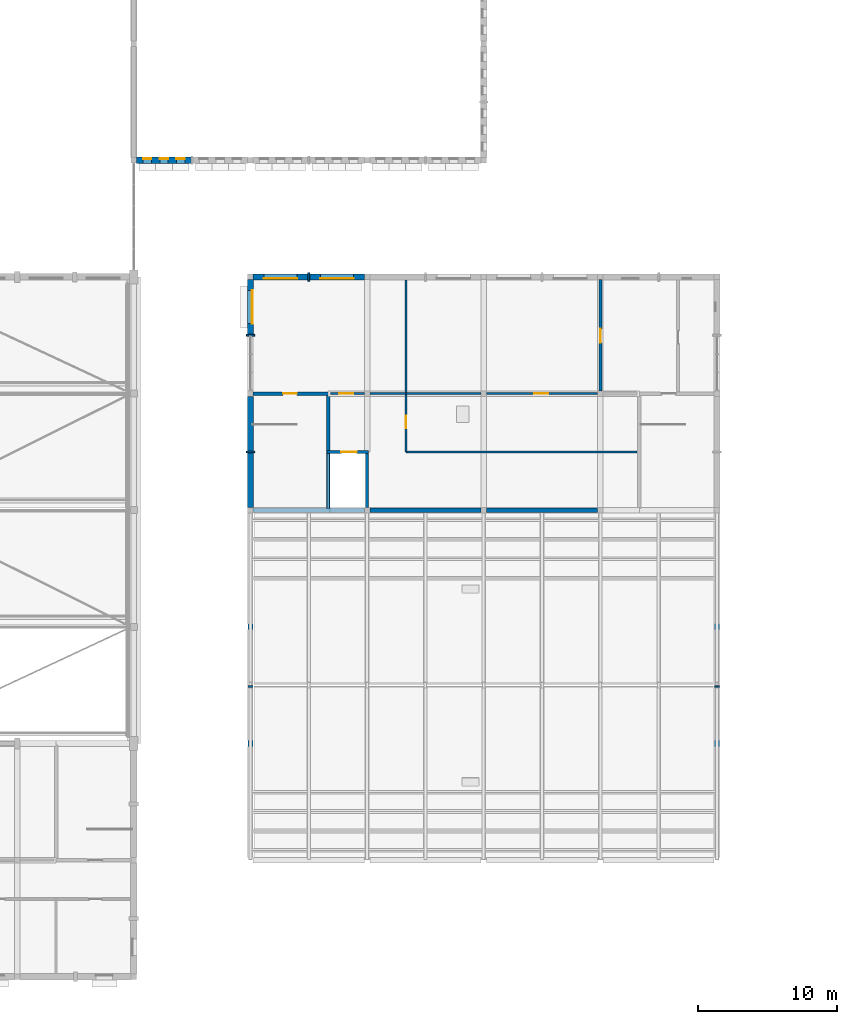
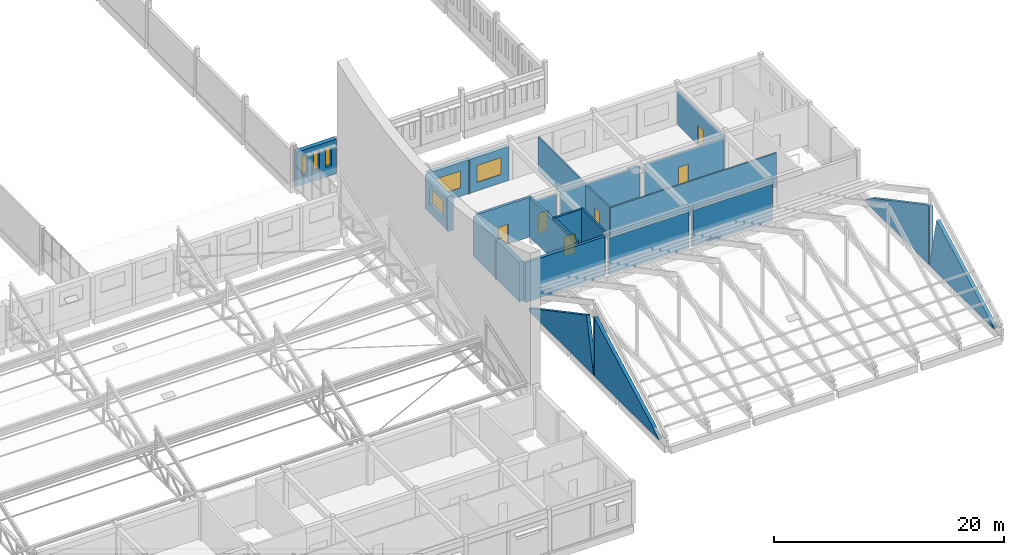
# One storey, part 85 of 101: 31 walls, 6 doors, 6 windows, 12 openings.
"""IFC4 building model written with IfcOpenShell, lengths in metres."""

from ifc_helpers import new_model, si_unit, direction, frame, frame_2d, origin, place, context, subcontext, project, spatial, polyline, rectangle, outline, extrude, material, layer, layer_set, type_object, element, fill, save


model = new_model("IFC4")

# Units and contexts
model_context = context("Model", 3, precision=1e-05, world=origin(), true_north=direction((0.0, 1.0)))
body_context = subcontext(model_context, "Body", "Model", "MODEL_VIEW")
ifc_project = project(units=[si_unit("LENGTHUNIT", "METRE"), si_unit("AREAUNIT", "SQUARE_METRE"), si_unit("VOLUMEUNIT", "CUBIC_METRE"), si_unit("PLANEANGLEUNIT", "RADIAN"), si_unit("MASSUNIT", "GRAM", prefix="KILO")], contexts=[model_context])

# Site, building, storey
site_placement = place(None, origin())
site = spatial("IfcSite", under=ifc_project, at=site_placement, CompositionType="ELEMENT")
building_placement = place(site_placement, origin())
building = spatial("IfcBuilding", under=site, at=building_placement, Name="Fescue Hill Polytechnic", CompositionType="ELEMENT")
storey_placement = place(building_placement, frame((0.0, 0.0, 9.0)))
storey = spatial("IfcBuildingStorey", under=building, at=storey_placement, Name="L02", CompositionType="ELEMENT", Elevation=9.0)

# Wall, opening, door
ifc_material_1 = material(Name="Concrete 40 MPa", Category="concrete")
ifc_layer_1 = layer(ifc_material_1, 0.25)
ifc_layer_set_1 = layer_set([ifc_layer_1], Name="Concrete 40 MPa")
wall_type_1 = type_object("IfcWallType", Name="Core wall 250", PredefinedType="SHEAR", material=ifc_layer_set_1)
wall_1_placement = place(storey_placement, frame((126.199951171875, 42.0, 0.0), z_axis=(0.0, 0.0, 1.0), x_axis=(1.0, 0.0, 0.0)))
wall_1 = element("IfcWall", 1, at=wall_1_placement, inside=storey, type_object=wall_type_1, Name="CW-L02-ST-V3-1-21", PredefinedType="SHEAR", context=body_context, shape_type="SweptSolid", body=[
    extrude(rectangle(XDim=5.525146484375, YDim=0.25, at=frame_2d((2.7626953125, 0.0))), origin(), (0.0, 0.0, 1.0), 4.199951171875),
])
opening_1_placement = place(wall_1_placement, frame((2.14990234375, 0.0, 0.0)))
opening_1 = element("IfcOpeningElement", 2, at=opening_1_placement, cuts=wall_1, Name="Opening D2081", PredefinedType="OPENING", context=body_context, shape_type="SweptSolid", body=[
    extrude(rectangle(XDim=1.0, YDim=2.10009765625, at=frame_2d((0.5, 1.050048828125))), frame((0.0, 0.135009765625, 0.0), z_axis=(0.0, -1.0, 0.0), x_axis=(1.0, 0.0, 0.0)), (0.0, 0.0, 1.0), 0.27001953125),
])
ifc_material_2 = material(Name="Steel fire door", Category="steel")
door_type_1 = type_object("IfcDoorType", Name="Door single swing 1000x2100 stair fire rated", OperationType="NOTDEFINED", PredefinedType="DOOR", material=ifc_material_2)
door_1_placement = place(opening_1_placement, origin())
door_1 = element("IfcDoor", 3, at=door_1_placement, inside=storey, type_object=door_type_1, Name="L02 ST-V3-1 stair door", OperationType="SINGLE_SWING_RIGHT", OverallHeight=2.10009765625, OverallWidth=1.0, PredefinedType="DOOR", context=body_context, shape_type="SweptSolid", body=[
    extrude(rectangle(XDim=1.0, YDim=2.10009765625, at=frame_2d((0.5, 1.050048828125))), frame((0.0, 0.02490234375, 0.0), z_axis=(0.0, -1.0, 0.0), x_axis=(1.0, 0.0, 0.0)), (0.0, 0.0, 1.0), 0.050048828125),
])
fill(opening_1, door_1)

# Walls
wall_2_placement = place(storey_placement, frame((131.60009765625, 33.72509765625, 0.0), z_axis=(0.0, 0.0, 1.0), x_axis=(0.0, 1.0, 0.0)))
element("IfcWall", 4, at=wall_2_placement, inside=storey, type_object=wall_type_1, Name="CW-L02-ST-V3-1-41", PredefinedType="SHEAR", context=body_context, shape_type="SweptSolid", body=[
    extrude(rectangle(XDim=8.14990234375, YDim=0.25, at=frame_2d((4.074951171875, 0.0))), origin(), (0.0, 0.0, 1.0), 4.199951171875),
])
ifc_material_3 = material(Name="Gypsum board partition")
ifc_layer_2 = layer(ifc_material_3, 0.14990234375)
ifc_layer_set_2 = layer_set([ifc_layer_2], Name="Gypsum board partition")
wall_type_2 = type_object("IfcWallType", Name="Corridor wall 150 EI 45", PredefinedType="PARTITIONING", material=ifc_layer_set_2)
wall_3_placement = place(storey_placement, frame((137.199951171875, 37.800048828125, 0.0), z_axis=(0.0, 0.0, 1.0), x_axis=(1.0, 0.0, 0.0)))
element("IfcWall", 5, at=wall_3_placement, inside=storey, type_object=wall_type_2, Name="IW-L02-023", PredefinedType="PARTITIONING", context=body_context, shape_type="SweptSolid", body=[
    extrude(rectangle(XDim=16.650146484375, YDim=0.14990234375, at=frame_2d((8.3251953125, 0.0))), origin(), (0.0, 0.0, 1.0), 3.60009765625),
])
wall_4_placement = place(storey_placement, frame((134.60009765625, 42.0, 0.0), z_axis=(0.0, 0.0, 1.0), x_axis=(1.0, 0.0, 0.0)))
element("IfcWall", 6, at=wall_4_placement, inside=storey, type_object=wall_type_2, Name="IW-L02-024", PredefinedType="PARTITIONING", context=body_context, shape_type="SweptSolid", body=[
    extrude(rectangle(XDim=2.599853515625, YDim=0.14990234375, at=frame_2d((1.2998046875, 0.0))), origin(), (0.0, 0.0, 1.0), 3.60009765625),
])

# Wall, opening, door
wall_5_placement = place(storey_placement, frame((137.199951171875, 37.800048828125, 0.0), z_axis=(0.0, 0.0, 1.0), x_axis=(0.0, 1.0, 0.0)))
wall_5 = element("IfcWall", 7, at=wall_5_placement, inside=storey, type_object=wall_type_2, Name="IW-L02-120", PredefinedType="PARTITIONING", context=body_context, shape_type="SweptSolid", body=[
    extrude(rectangle(XDim=4.199951171875, YDim=0.14990234375, at=frame_2d((2.10009765625, 0.0))), origin(), (0.0, 0.0, 1.0), 3.60009765625),
])
opening_2_placement = place(wall_5_placement, frame((1.699951171875, 0.0, 0.0)))
opening_2 = element("IfcOpeningElement", 8, at=opening_2_placement, cuts=wall_5, Name="Opening D2029", PredefinedType="OPENING", context=body_context, shape_type="SweptSolid", body=[
    extrude(rectangle(XDim=0.89990234375, YDim=2.10009765625, at=frame_2d((0.449951171875, 1.050048828125))), frame((0.0, 0.0849609375, 0.0), z_axis=(0.0, -1.0, 0.0), x_axis=(1.0, 0.0, 0.0)), (0.0, 0.0, 1.0), 0.169921875),
])
ifc_material_4 = material(Name="Timber", Category="wood")
door_type_2 = type_object("IfcDoorType", Name="Door single swing 900x2100 FD30S", OperationType="SINGLE_SWING_LEFT", PredefinedType="DOOR", material=ifc_material_4)
door_2_placement = place(opening_2_placement, origin())
door_2 = element("IfcDoor", 9, at=door_2_placement, inside=storey, type_object=door_type_2, Name="Door D2029", OperationType="SINGLE_SWING_RIGHT", OverallHeight=2.10009765625, OverallWidth=0.89990234375, PredefinedType="DOOR", context=body_context, shape_type="SweptSolid", body=[
    extrude(rectangle(XDim=0.89990234375, YDim=2.10009765625, at=frame_2d((0.449951171875, 1.050048828125))), frame((0.0, 0.02490234375, 0.0), z_axis=(0.0, -1.0, 0.0), x_axis=(1.0, 0.0, 0.0)), (0.0, 0.0, 1.0), 0.050048828125),
])
fill(opening_2, door_2)

# Wall, openings, windows
ifc_layer_3 = layer(ifc_material_1, 0.449951171875)
ifc_layer_set_3 = layer_set([ifc_layer_3], Name="Concrete 40 MPa")
wall_type_3 = type_object("IfcWallType", Name="Exterior wall board-marked concrete 450", PredefinedType="SOLIDWALL", material=ifc_layer_set_3)
wall_6_placement = place(storey_placement, frame((117.800048828125, 58.800048828125, 0.0), z_axis=(0.0, 0.0, 1.0), x_axis=(1.0, 0.0, 0.0)))
wall_6 = element("IfcWall", 10, at=wall_6_placement, inside=storey, type_object=wall_type_3, Name="EW-L02-V2-14", PredefinedType="SOLIDWALL", context=body_context, shape_type="SweptSolid", body=[
    extrude(rectangle(XDim=3.93994140625, YDim=0.449951171875, at=frame_2d((1.969970703125, 0.0))), origin(), (0.0, 0.0, 1.0), 3.64990234375),
])
opening_3_placement = place(wall_6_placement, frame((0.469970703125, 0.0, 1.0)))
opening_3 = element("IfcOpeningElement", 11, at=opening_3_placement, cuts=wall_6, Name="Opening W6", PredefinedType="OPENING", context=body_context, shape_type="SweptSolid", body=[
    extrude(rectangle(XDim=0.60009765625, YDim=2.10009765625, at=frame_2d((0.300048828125, 1.050048828125))), frame((0.0, 0.23486328125, 0.0), z_axis=(0.0, -1.0, 0.0), x_axis=(1.0, 0.0, 0.0)), (0.0, 0.0, 1.0), 0.469970703125),
])
opening_4_placement = place(wall_6_placement, frame((1.669921875, 0.0, 1.0)))
opening_4 = element("IfcOpeningElement", 12, at=opening_4_placement, cuts=wall_6, Name="Opening W6", PredefinedType="OPENING", context=body_context, shape_type="SweptSolid", body=[
    extrude(rectangle(XDim=0.60009765625, YDim=2.10009765625, at=frame_2d((0.300048828125, 1.050048828125))), frame((0.0, 0.23486328125, 0.0), z_axis=(0.0, -1.0, 0.0), x_axis=(1.0, 0.0, 0.0)), (0.0, 0.0, 1.0), 0.469970703125),
])
opening_5_placement = place(wall_6_placement, frame((2.8701171875, 0.0, 1.0)))
opening_5 = element("IfcOpeningElement", 13, at=opening_5_placement, cuts=wall_6, Name="Opening W6", PredefinedType="OPENING", context=body_context, shape_type="SweptSolid", body=[
    extrude(rectangle(XDim=0.60009765625, YDim=2.10009765625, at=frame_2d((0.300048828125, 1.050048828125))), frame((0.0, 0.23486328125, 0.0), z_axis=(0.0, -1.0, 0.0), x_axis=(1.0, 0.0, 0.0)), (0.0, 0.0, 1.0), 0.469970703125),
])
ifc_material_5 = material(Name="Powder-coated aluminium and glass", Category="aluminium")
window_type_1 = type_object("IfcWindowType", Name="Window slot 600x2100", PartitioningType="SINGLE_PANEL", PredefinedType="WINDOW", material=ifc_material_5)
window_1_placement = place(opening_3_placement, origin())
window_1 = element("IfcWindow", 14, at=window_1_placement, inside=storey, type_object=window_type_1, Name="WN-L02-V2-7", OverallHeight=2.10009765625, OverallWidth=0.60009765625, PartitioningType="SINGLE_PANEL", PredefinedType="WINDOW", context=body_context, shape_type="SweptSolid", body=[
    extrude(rectangle(XDim=0.60009765625, YDim=2.10009765625, at=frame_2d((0.300048828125, 1.050048828125))), frame((0.0, 0.135009765625, 0.0), z_axis=(0.0, -1.0, 0.0), x_axis=(1.0, 0.0, 0.0)), (0.0, 0.0, 1.0), 0.06005859375),
])
fill(opening_3, window_1)
window_2_placement = place(opening_4_placement, origin())
window_2 = element("IfcWindow", 15, at=window_2_placement, inside=storey, type_object=window_type_1, Name="WN-L02-V2-8", OverallHeight=2.10009765625, OverallWidth=0.60009765625, PartitioningType="SINGLE_PANEL", PredefinedType="WINDOW", context=body_context, shape_type="SweptSolid", body=[
    extrude(rectangle(XDim=0.60009765625, YDim=2.10009765625, at=frame_2d((0.300048828125, 1.050048828125))), frame((0.0, 0.135009765625, 0.0), z_axis=(0.0, -1.0, 0.0), x_axis=(1.0, 0.0, 0.0)), (0.0, 0.0, 1.0), 0.06005859375),
])
fill(opening_4, window_2)
window_3_placement = place(opening_5_placement, origin())
window_3 = element("IfcWindow", 16, at=window_3_placement, inside=storey, type_object=window_type_1, Name="WN-L02-V2-9", OverallHeight=2.10009765625, OverallWidth=0.60009765625, PartitioningType="SINGLE_PANEL", PredefinedType="WINDOW", context=body_context, shape_type="SweptSolid", body=[
    extrude(rectangle(XDim=0.60009765625, YDim=2.10009765625, at=frame_2d((0.300048828125, 1.050048828125))), frame((0.0, 0.135009765625, 0.0), z_axis=(0.0, -1.0, 0.0), x_axis=(1.0, 0.0, 0.0)), (0.0, 0.0, 1.0), 0.06005859375),
])
fill(opening_5, window_3)

# Wall, opening, window
ifc_material_6 = material(Name="Clay brick masonry", Category="masonry")
ifc_layer_4 = layer(ifc_material_6, 0.419921875)
ifc_layer_set_4 = layer_set([ifc_layer_4], Name="Clay brick masonry")
wall_type_4 = type_object("IfcWallType", Name="Exterior wall buff-red brick cavity 420", PredefinedType="SOLIDWALL", material=ifc_layer_set_4)
wall_7_placement = place(storey_placement, frame((134.199951171875, 50.39990234375, 0.0), z_axis=(0.0, 0.0, 1.0), x_axis=(-1.0, 0.0, 0.0)))
wall_7 = element("IfcWall", 17, at=wall_7_placement, inside=storey, type_object=wall_type_4, Name="EW-L02-V3-11", PredefinedType="SOLIDWALL", context=body_context, shape_type="SweptSolid", body=[
    extrude(rectangle(XDim=3.93994140625, YDim=0.419921875, at=frame_2d((1.969970703125, 0.0))), origin(), (0.0, 0.0, 1.0), 3.60009765625),
])
opening_6_placement = place(wall_7_placement, frame((0.77001953125, 0.0, 0.89990234375)))
opening_6 = element("IfcOpeningElement", 18, at=opening_6_placement, cuts=wall_7, Name="Opening W8", PredefinedType="OPENING", context=body_context, shape_type="SweptSolid", body=[
    extrude(rectangle(XDim=2.39990234375, YDim=1.800048828125, at=frame_2d((1.199951171875, 0.89990234375))), frame((0.0, 0.219970703125, 0.0), z_axis=(0.0, -1.0, 0.0), x_axis=(1.0, 0.0, 0.0)), (0.0, 0.0, 1.0), 0.43994140625),
])
window_type_2 = type_object("IfcWindowType", Name="Window union 2400x1800", PartitioningType="TRIPLE_PANEL_VERTICAL", PredefinedType="WINDOW", material=ifc_material_5)
window_4_placement = place(opening_6_placement, origin())
window_4 = element("IfcWindow", 19, at=window_4_placement, inside=storey, type_object=window_type_2, Name="WN-L02-V3-7", OverallHeight=1.800048828125, OverallWidth=2.39990234375, PartitioningType="SINGLE_PANEL", PredefinedType="WINDOW", context=body_context, shape_type="SweptSolid", body=[
    extrude(rectangle(XDim=2.39990234375, YDim=1.800048828125, at=frame_2d((1.199951171875, 0.89990234375))), frame((0.0, 0.150146484375, 0.0), z_axis=(0.0, -1.0, 0.0), x_axis=(1.0, 0.0, 0.0)), (0.0, 0.0, 1.0), 0.06005859375),
])
fill(opening_6, window_4)

wall_8_placement = place(storey_placement, frame((130.139892578125, 50.39990234375, 0.0), z_axis=(0.0, 0.0, 1.0), x_axis=(-1.0, 0.0, 0.0)))
wall_8 = element("IfcWall", 20, at=wall_8_placement, inside=storey, type_object=wall_type_4, Name="EW-L02-V3-12", PredefinedType="SOLIDWALL", context=body_context, shape_type="SweptSolid", body=[
    extrude(rectangle(XDim=3.93994140625, YDim=0.419921875, at=frame_2d((1.969970703125, 0.0))), origin(), (0.0, 0.0, 1.0), 3.60009765625),
])
opening_7_placement = place(wall_8_placement, frame((0.77001953125, 0.0, 0.89990234375)))
opening_7 = element("IfcOpeningElement", 21, at=opening_7_placement, cuts=wall_8, Name="Opening W8", PredefinedType="OPENING", context=body_context, shape_type="SweptSolid", body=[
    extrude(rectangle(XDim=2.39990234375, YDim=1.800048828125, at=frame_2d((1.199951171875, 0.89990234375))), frame((0.0, 0.219970703125, 0.0), z_axis=(0.0, -1.0, 0.0), x_axis=(1.0, 0.0, 0.0)), (0.0, 0.0, 1.0), 0.43994140625),
])
window_5_placement = place(opening_7_placement, origin())
window_5 = element("IfcWindow", 22, at=window_5_placement, inside=storey, type_object=window_type_2, Name="WN-L02-V3-8", OverallHeight=1.800048828125, OverallWidth=2.39990234375, PartitioningType="SINGLE_PANEL", PredefinedType="WINDOW", context=body_context, shape_type="SweptSolid", body=[
    extrude(rectangle(XDim=2.39990234375, YDim=1.800048828125, at=frame_2d((1.199951171875, 0.89990234375))), frame((0.0, 0.150146484375, 0.0), z_axis=(0.0, -1.0, 0.0), x_axis=(1.0, 0.0, 0.0)), (0.0, 0.0, 1.0), 0.06005859375),
])
fill(opening_7, window_5)

wall_9_placement = place(storey_placement, frame((126.0, 50.199951171875, 0.0), z_axis=(0.0, 0.0, 1.0), x_axis=(0.0, -1.0, 0.0)))
wall_9 = element("IfcWall", 23, at=wall_9_placement, inside=storey, type_object=wall_type_4, Name="EW-L02-V3-13", PredefinedType="SOLIDWALL", context=body_context, shape_type="SweptSolid", body=[
    extrude(rectangle(XDim=3.93994140625, YDim=0.419921875, at=frame_2d((1.969970703125, 0.0))), origin(), (0.0, 0.0, 1.0), 3.60009765625),
])
opening_8_placement = place(wall_9_placement, frame((0.77001953125, 0.0, 0.89990234375)))
opening_8 = element("IfcOpeningElement", 24, at=opening_8_placement, cuts=wall_9, Name="Opening W8", PredefinedType="OPENING", context=body_context, shape_type="SweptSolid", body=[
    extrude(rectangle(XDim=2.39990234375, YDim=1.800048828125, at=frame_2d((1.199951171875, 0.89990234375))), frame((0.0, 0.219970703125, 0.0), z_axis=(0.0, -1.0, 0.0), x_axis=(1.0, 0.0, 0.0)), (0.0, 0.0, 1.0), 0.43994140625),
])
window_6_placement = place(opening_8_placement, origin())
window_6 = element("IfcWindow", 25, at=window_6_placement, inside=storey, type_object=window_type_2, Name="WN-L02-V3-9", OverallHeight=1.800048828125, OverallWidth=2.39990234375, PartitioningType="SINGLE_PANEL", PredefinedType="WINDOW", context=body_context, shape_type="SweptSolid", body=[
    extrude(rectangle(XDim=2.39990234375, YDim=1.800048828125, at=frame_2d((1.199951171875, 0.89990234375))), frame((0.0, 0.150146484375, 0.0), z_axis=(0.0, -1.0, 0.0), x_axis=(1.0, 0.0, 0.0)), (0.0, 0.0, 1.0), 0.06005859375),
])
fill(opening_8, window_6)

# Walls
ifc_layer_5 = layer(ifc_material_6, 0.419921875)
ifc_layer_set_5 = layer_set([ifc_layer_5], Name="Clay brick masonry")
wall_type_5 = type_object("IfcWallType", Name="Exterior wall buff-red brick cavity 420 load-bearing", PredefinedType="SOLIDWALL", material=ifc_layer_set_5)
for number, where, z_axis, x_axis, name in (
    (26, (126.0, 41.800048828125, 0.0), (0.0, 0.0, 1.0), (0.0, -1.0, 0.0), "EW-L02-V3-15"),
    (27, (126.0, 37.739990234375, 0.0), (0.0, 0.0, 1.0), (0.0, -1.0, 0.0), "EW-L02-V3-16"),
):
    element("IfcWall", number, at=place(storey_placement, frame(where, z_axis=z_axis, x_axis=x_axis)), inside=storey, type_object=wall_type_5, Name=name, PredefinedType="SOLIDWALL", context=body_context, shape_type="SweptSolid", body=[
        extrude(rectangle(XDim=3.93994140625, YDim=0.419921875, at=frame_2d((1.969970703125, 0.0))), origin(), (0.0, 0.0, 1.0), 4.199951171875),
    ])
ifc_layer_6 = layer(ifc_material_6, 0.35009765625)
ifc_layer_set_6 = layer_set([ifc_layer_6], Name="Clay brick masonry")
wall_type_6 = type_object("IfcWallType", Name="Gable wall clinker brick 350", PredefinedType="SOLIDWALL", material=ifc_layer_set_6)
wall_10_placement = place(storey_placement, frame((126.0, 32.156005859375, 0.0), z_axis=(0.0, 0.0, 1.0), x_axis=(0.0, -1.0, 0.0)))
element("IfcWall", 28, at=wall_10_placement, inside=storey, type_object=wall_type_6, Name="EW-L02-V3-21", PredefinedType="SOLIDWALL", context=body_context, shape_type="SweptSolid", body=[
    extrude(outline(polyline([(0.0, 0.0), (11.196044921875, 0.0), (11.196044921875, 6.228759765625), (11.196044921875, 0.02001953125), (9.951904296875, 5.60986328125), (8.7080078125, 4.9482421875), (7.464111328125, 4.286865234375), (6.219970703125, 3.625244140625), (4.97607421875, 2.9638671875), (3.73193359375, 2.30224609375), (2.488037109375, 1.640869140625), (1.243896484375, 0.979248046875), (0.0, 0.31787109375), (0.0, 0.02001953125), (0.0, 0.0)])), frame((0.0, 0.175048828125, 0.0), z_axis=(0.0, -1.0, 0.0), x_axis=(1.0, 0.0, 0.0)), (0.0, 0.0, 1.0), 0.35009765625),
])
wall_11_placement = place(storey_placement, frame((126.0, 20.9599609375, 0.0), z_axis=(0.0, 0.0, 1.0), x_axis=(0.0, -1.0, 0.0)))
element("IfcWall", 29, at=wall_11_placement, inside=storey, type_object=wall_type_6, Name="EW-L02-V3-22", PredefinedType="SOLIDWALL", context=body_context, shape_type="SweptSolid", body=[
    extrude(outline(polyline([(0.0, 0.0), (0.119873046875, 0.0), (0.1201171875, 6.164794921875), (0.1201171875, 0.02001953125), (0.10791015625, 6.17138671875), (0.095947265625, 6.177734375), (0.083984375, 6.18408203125), (0.072021484375, 6.1904296875), (0.06005859375, 6.19677734375), (0.048095703125, 6.203125), (0.035888671875, 6.209716796875), (0.02392578125, 6.216064453125), (0.011962890625, 6.222412109375), (0.0, 6.228759765625), (0.0, 0.02001953125), (0.0, 0.0)])), frame((0.0, 0.175048828125, 0.0), z_axis=(0.0, -1.0, 0.0), x_axis=(1.0, 0.0, 0.0)), (0.0, 0.0, 1.0), 0.35009765625),
])
wall_12_placement = place(storey_placement, frame((126.0, 20.840087890625, 0.0), z_axis=(0.0, 0.0, 1.0), x_axis=(0.0, -1.0, 0.0)))
element("IfcWall", 30, at=wall_12_placement, inside=storey, type_object=wall_type_6, Name="EW-L02-V3-23", PredefinedType="SOLIDWALL", context=body_context, shape_type="SweptSolid", body=[
    extrude(outline(polyline([(0.0, 0.0), (11.196044921875, 0.0), (11.196044921875, 0.21142578125), (11.196044921875, 0.02001953125), (9.951904296875, 0.873046875), (8.7080078125, 1.534423828125), (7.464111328125, 2.196044921875), (6.219970703125, 2.857421875), (4.97607421875, 3.51904296875), (3.73193359375, 4.180419921875), (2.488037109375, 4.841796875), (1.243896484375, 5.50341796875), (0.0, 6.164794921875), (0.0, 0.02001953125), (0.0, 0.0)])), frame((0.0, 0.175048828125, 0.0), z_axis=(0.0, -1.0, 0.0), x_axis=(1.0, 0.0, 0.0)), (0.0, 0.0, 1.0), 0.35009765625),
])
wall_13_placement = place(storey_placement, frame((159.60009765625, 9.64404296875, 0.0), z_axis=(0.0, 0.0, 1.0), x_axis=(0.0, 1.0, 0.0)))
element("IfcWall", 31, at=wall_13_placement, inside=storey, type_object=wall_type_6, Name="EW-L02-V3-24", PredefinedType="SOLIDWALL", context=body_context, shape_type="SweptSolid", body=[
    extrude(outline(polyline([(0.0, 0.0), (11.196044921875, 0.0), (11.196044921875, 6.164794921875), (11.196044921875, 0.02001953125), (9.951904296875, 5.50341796875), (8.7080078125, 4.841796875), (7.464111328125, 4.180419921875), (6.219970703125, 3.51904296875), (4.97607421875, 2.857421875), (3.73193359375, 2.196044921875), (2.488037109375, 1.534423828125), (1.243896484375, 0.873046875), (0.0, 0.21142578125), (0.0, 0.02001953125), (0.0, 0.0)])), frame((0.0, 0.175048828125, 0.0), z_axis=(0.0, -1.0, 0.0), x_axis=(1.0, 0.0, 0.0)), (0.0, 0.0, 1.0), 0.35009765625),
])
wall_14_placement = place(storey_placement, frame((159.60009765625, 20.840087890625, 0.0), z_axis=(0.0, 0.0, 1.0), x_axis=(0.0, 1.0, 0.0)))
element("IfcWall", 32, at=wall_14_placement, inside=storey, type_object=wall_type_6, Name="EW-L02-V3-25", PredefinedType="SOLIDWALL", context=body_context, shape_type="SweptSolid", body=[
    extrude(outline(polyline([(0.0, 0.0), (0.119873046875, 0.0), (0.1201171875, 6.228759765625), (0.1201171875, 0.02001953125), (0.10791015625, 6.222412109375), (0.095947265625, 6.216064453125), (0.083984375, 6.209716796875), (0.072021484375, 6.203125), (0.06005859375, 6.19677734375), (0.048095703125, 6.1904296875), (0.035888671875, 6.18408203125), (0.02392578125, 6.177734375), (0.011962890625, 6.17138671875), (0.0, 6.164794921875), (0.0, 0.02001953125), (0.0, 0.0)])), frame((0.0, 0.175048828125, 0.0), z_axis=(0.0, -1.0, 0.0), x_axis=(1.0, 0.0, 0.0)), (0.0, 0.0, 1.0), 0.35009765625),
])
wall_15_placement = place(storey_placement, frame((159.60009765625, 20.9599609375, 0.0), z_axis=(0.0, 0.0, 1.0), x_axis=(0.0, 1.0, 0.0)))
element("IfcWall", 33, at=wall_15_placement, inside=storey, type_object=wall_type_6, Name="EW-L02-V3-26", PredefinedType="SOLIDWALL", context=body_context, shape_type="SweptSolid", body=[
    extrude(outline(polyline([(0.0, 0.0), (11.196044921875, 0.0), (11.196044921875, 0.31787109375), (11.196044921875, 0.02001953125), (9.951904296875, 0.979248046875), (8.7080078125, 1.640869140625), (7.464111328125, 2.30224609375), (6.219970703125, 2.9638671875), (4.97607421875, 3.625244140625), (3.73193359375, 4.286865234375), (2.488037109375, 4.9482421875), (1.243896484375, 5.60986328125), (0.0, 6.228759765625), (0.0, 0.02001953125), (0.0, 0.0)])), frame((0.0, 0.175048828125, 0.0), z_axis=(0.0, -1.0, 0.0), x_axis=(1.0, 0.0, 0.0)), (0.0, 0.0, 1.0), 0.35009765625),
])
ifc_layer_7 = layer(ifc_material_1, 0.300048828125)
ifc_layer_set_7 = layer_set([ifc_layer_7], Name="Concrete 40 MPa")
wall_type_7 = type_object("IfcWallType", Name="Hall wall concrete 300 fire rated", PredefinedType="SOLIDWALL", material=ifc_layer_set_7)
for number, where, z_axis, x_axis, name in (
    (34, (134.60009765625, 33.60009765625, 0.0), (0.0, 0.0, 1.0), (1.0, 0.0, 0.0), "EW-L02-V3-18"),
    (35, (143.0, 33.60009765625, 0.0), (0.0, 0.0, 1.0), (1.0, 0.0, 0.0), "EW-L02-V3-19"),
):
    element("IfcWall", number, at=place(storey_placement, frame(where, z_axis=z_axis, x_axis=x_axis)), inside=storey, type_object=wall_type_7, Name=name, PredefinedType="SOLIDWALL", context=body_context, shape_type="SweptSolid", body=[
        extrude(rectangle(XDim=8.0, YDim=0.300048828125, at=frame_2d((4.0, 0.0))), origin(), (0.0, 0.0, 1.0), 3.89990234375),
    ])
ifc_layer_8 = layer(ifc_material_1, 0.300048828125)
ifc_layer_set_8 = layer_set([ifc_layer_8], Name="Concrete 40 MPa")
wall_type_8 = type_object("IfcWallType", Name="Hall wall concrete 300 load-bearing REI 120", PredefinedType="SOLIDWALL", material=ifc_layer_set_8)
wall_16_placement = place(storey_placement, frame((126.199951171875, 33.60009765625, 0.0), z_axis=(0.0, 0.0, 1.0), x_axis=(1.0, 0.0, 0.0)))
element("IfcWall", 36, at=wall_16_placement, inside=storey, type_object=wall_type_8, Name="EW-L02-V3-17", PredefinedType="SOLIDWALL", context=body_context, shape_type="SweptSolid", body=[
    extrude(rectangle(XDim=8.0, YDim=0.300048828125, at=frame_2d((4.0, 0.0))), origin(), (0.0, 0.0, 1.0), 4.199951171875),
])

# Wall, opening, door
ifc_layer_9 = layer(ifc_material_1, 0.199951171875)
ifc_layer_set_9 = layer_set([ifc_layer_9], Name="Concrete 40 MPa")
wall_type_9 = type_object("IfcWallType", Name="Lift shaft wall 200", PredefinedType="SHEAR", material=ifc_layer_set_9)
wall_17_placement = place(storey_placement, frame((131.5, 37.800048828125, 0.0), z_axis=(0.0, 0.0, 1.0), x_axis=(1.0, 0.0, 0.0)))
wall_17 = element("IfcWall", 37, at=wall_17_placement, inside=storey, type_object=wall_type_9, Name="CW-L02-LF-V3-1-21", PredefinedType="SHEAR", context=body_context, shape_type="SweptSolid", body=[
    extrude(rectangle(XDim=3.0, YDim=0.199951171875, at=frame_2d((1.5, 0.0))), origin(), (0.0, 0.0, 1.0), 4.5),
])
opening_9_placement = place(wall_17_placement, frame((1.050048828125, 0.0, 0.0)))
opening_9 = element("IfcOpeningElement", 38, at=opening_9_placement, cuts=wall_17, Name="Opening LD2-L02", PredefinedType="OPENING", context=body_context, shape_type="SweptSolid", body=[
    extrude(rectangle(XDim=1.10009765625, YDim=2.10009765625, at=frame_2d((0.550048828125, 1.050048828125))), frame((0.0, 0.10986328125, 0.0), z_axis=(0.0, -1.0, 0.0), x_axis=(1.0, 0.0, 0.0)), (0.0, 0.0, 1.0), 0.219970703125),
])
ifc_material_7 = material(Name="Stainless steel", Category="steel")
door_type_3 = type_object("IfcDoorType", Name="Lift landing door sliding 1100x2100", OperationType="SLIDING_TO_LEFT", PredefinedType="DOOR", material=ifc_material_7)
door_3_placement = place(opening_9_placement, origin())
door_3 = element("IfcDoor", 39, at=door_3_placement, inside=storey, type_object=door_type_3, Name="L02 LF-V3-1 lift landing door", OperationType="SLIDING_TO_RIGHT", OverallHeight=2.10009765625, OverallWidth=1.10009765625, PredefinedType="DOOR", context=body_context, shape_type="SweptSolid", body=[
    extrude(rectangle(XDim=1.10009765625, YDim=2.10009765625, at=frame_2d((0.550048828125, 1.050048828125))), frame((0.0, 0.02490234375, 0.0), z_axis=(0.0, -1.0, 0.0), x_axis=(1.0, 0.0, 0.0)), (0.0, 0.0, 1.0), 0.050048828125),
])
fill(opening_9, door_3)

# Walls
wall_18_placement = place(storey_placement, frame((134.39990234375, 33.800048828125, 0.0), z_axis=(0.0, 0.0, 1.0), x_axis=(0.0, 1.0, 0.0)))
element("IfcWall", 40, at=wall_18_placement, inside=storey, type_object=wall_type_9, Name="CW-L02-LF-V3-1-41", PredefinedType="SHEAR", context=body_context, shape_type="SweptSolid", body=[
    extrude(rectangle(XDim=3.89990234375, YDim=0.199951171875, at=frame_2d((1.949951171875, 0.0))), origin(), (0.0, 0.0, 1.0), 4.5),
])
wall_19_placement = place(storey_placement, frame((131.60009765625, 33.72509765625, 4.199951171875), z_axis=(0.0, 0.0, 1.0), x_axis=(0.0, 1.0, 0.0)))
element("IfcWall", 41, at=wall_19_placement, inside=storey, type_object=wall_type_9, Name="CW-L02-LF-V3-1-31", PredefinedType="SHEAR", context=body_context, shape_type="SweptSolid", body=[
    extrude(rectangle(XDim=3.974853515625, YDim=0.199951171875, at=frame_2d((1.9873046875, 0.0))), origin(), (0.0, 0.0, 1.0), 0.300048828125),
])

# Wall, opening, door
ifc_layer_10 = layer(ifc_material_3, 0.14990234375)
ifc_layer_set_10 = layer_set([ifc_layer_10], Name="Gypsum board partition")
wall_type_10 = type_object("IfcWallType", Name="Lobby wall 150 EI 60", PredefinedType="PARTITIONING", material=ifc_layer_set_10)
wall_20_placement = place(storey_placement, frame((131.75, 42.0, 0.0), z_axis=(0.0, 0.0, 1.0), x_axis=(1.0, 0.0, 0.0)))
wall_20 = element("IfcWall", 42, at=wall_20_placement, inside=storey, type_object=wall_type_10, Name="IW-L02-025", PredefinedType="PARTITIONING", context=body_context, shape_type="SweptSolid", body=[
    extrude(rectangle(XDim=2.449951171875, YDim=0.14990234375, at=frame_2d((1.22509765625, 0.0))), origin(), (0.0, 0.0, 1.0), 3.60009765625),
])
opening_10_placement = place(wall_20_placement, frame((0.64990234375, 0.0, 0.0)))
opening_10 = element("IfcOpeningElement", 43, at=opening_10_placement, cuts=wall_20, Name="Opening D2030", PredefinedType="OPENING", context=body_context, shape_type="SweptSolid", body=[
    extrude(rectangle(XDim=1.0, YDim=2.10009765625, at=frame_2d((0.5, 1.050048828125))), frame((0.0, 0.0849609375, 0.0), z_axis=(0.0, -1.0, 0.0), x_axis=(1.0, 0.0, 0.0)), (0.0, 0.0, 1.0), 0.169921875),
])
ifc_material_8 = material(Name="Steel", Category="steel")
door_type_4 = type_object("IfcDoorType", Name="Door single swing 1000x2100 FD60", OperationType="SINGLE_SWING_LEFT", PredefinedType="DOOR", material=ifc_material_8)
door_4_placement = place(opening_10_placement, origin())
door_4 = element("IfcDoor", 44, at=door_4_placement, inside=storey, type_object=door_type_4, Name="Door D2030", OperationType="SINGLE_SWING_LEFT", OverallHeight=2.10009765625, OverallWidth=1.0, PredefinedType="DOOR", context=body_context, shape_type="SweptSolid", body=[
    extrude(rectangle(XDim=1.0, YDim=2.10009765625, at=frame_2d((0.5, 1.050048828125))), frame((0.0, 0.02490234375, 0.0), z_axis=(0.0, -1.0, 0.0), x_axis=(1.0, 0.0, 0.0)), (0.0, 0.0, 1.0), 0.050048828125),
])
fill(opening_10, door_4)

# Wall
ifc_layer_11 = layer(ifc_material_3, 0.14990234375)
ifc_layer_set_11 = layer_set([ifc_layer_11], Name="Gypsum board partition")
wall_type_11 = type_object("IfcWallType", Name="Partition stud 150 acoustic", PredefinedType="PARTITIONING", material=ifc_layer_set_11)
wall_21_placement = place(storey_placement, frame((137.199951171875, 42.0, 0.0), z_axis=(0.0, 0.0, 1.0), x_axis=(1.0, 0.0, 0.0)))
element("IfcWall", 45, at=wall_21_placement, inside=storey, type_object=wall_type_11, Name="IW-L02-027", PredefinedType="PARTITIONING", context=body_context, shape_type="SweptSolid", body=[
    extrude(rectangle(XDim=5.400146484375, YDim=0.14990234375, at=frame_2d((2.7001953125, 0.0))), origin(), (0.0, 0.0, 1.0), 3.60009765625),
])

# Wall, opening, door
wall_22_placement = place(storey_placement, frame((143.0, 42.0, 0.0), z_axis=(0.0, 0.0, 1.0), x_axis=(1.0, 0.0, 0.0)))
wall_22 = element("IfcWall", 46, at=wall_22_placement, inside=storey, type_object=wall_type_11, Name="IW-L02-028", PredefinedType="PARTITIONING", context=body_context, shape_type="SweptSolid", body=[
    extrude(rectangle(XDim=8.0, YDim=0.14990234375, at=frame_2d((4.0, 0.0))), origin(), (0.0, 0.0, 1.0), 3.60009765625),
])
opening_11_placement = place(wall_22_placement, frame((3.449951171875, 0.0, 0.0)))
opening_11 = element("IfcOpeningElement", 47, at=opening_11_placement, cuts=wall_22, Name="Opening D2031", PredefinedType="OPENING", context=body_context, shape_type="SweptSolid", body=[
    extrude(rectangle(XDim=1.0, YDim=2.10009765625, at=frame_2d((0.5, 1.050048828125))), frame((0.0, 0.0849609375, 0.0), z_axis=(0.0, -1.0, 0.0), x_axis=(1.0, 0.0, 0.0)), (0.0, 0.0, 1.0), 0.169921875),
])
door_type_5 = type_object("IfcDoorType", Name="Door single swing 1000x2100", OperationType="SINGLE_SWING_LEFT", PredefinedType="DOOR", material=ifc_material_4)
door_5_placement = place(opening_11_placement, origin())
door_5 = element("IfcDoor", 48, at=door_5_placement, inside=storey, type_object=door_type_5, Name="Door D2031", OperationType="SINGLE_SWING_LEFT", OverallHeight=2.10009765625, OverallWidth=1.0, PredefinedType="DOOR", context=body_context, shape_type="SweptSolid", body=[
    extrude(rectangle(XDim=1.0, YDim=2.10009765625, at=frame_2d((0.5, 1.050048828125))), frame((0.0, 0.02490234375, 0.0), z_axis=(0.0, -1.0, 0.0), x_axis=(1.0, 0.0, 0.0)), (0.0, 0.0, 1.0), 0.050048828125),
])
fill(opening_11, door_5)

# Wall
wall_23_placement = place(storey_placement, frame((137.199951171875, 42.0, 0.0), z_axis=(0.0, 0.0, 1.0), x_axis=(0.0, 1.0, 0.0)))
element("IfcWall", 49, at=wall_23_placement, inside=storey, type_object=wall_type_11, Name="IW-L02-121", PredefinedType="PARTITIONING", context=body_context, shape_type="SweptSolid", body=[
    extrude(rectangle(XDim=8.18994140625, YDim=0.14990234375, at=frame_2d((4.094970703125, 0.0))), origin(), (0.0, 0.0, 1.0), 3.60009765625),
])

# Wall, opening, door
ifc_material_9 = material(Name="Concrete masonry block 15 MPa", Category="masonry")
ifc_layer_12 = layer(ifc_material_9, 0.199951171875)
ifc_layer_set_12 = layer_set([ifc_layer_12], Name="Concrete masonry block 15 MPa")
wall_type_12 = type_object("IfcWallType", Name="Plant room wall 200 block EI 60", PredefinedType="PARTITIONING", material=ifc_layer_set_12)
wall_24_placement = place(storey_placement, frame((151.199951171875, 42.199951171875, 0.0), z_axis=(0.0, 0.0, 1.0), x_axis=(0.0, 1.0, 0.0)))
wall_24 = element("IfcWall", 50, at=wall_24_placement, inside=storey, type_object=wall_type_12, Name="IW-L02-122", PredefinedType="PARTITIONING", context=body_context, shape_type="SweptSolid", body=[
    extrude(rectangle(XDim=8.0, YDim=0.199951171875, at=frame_2d((4.0, 0.0))), origin(), (0.0, 0.0, 1.0), 3.60009765625),
])
opening_12_placement = place(wall_24_placement, frame((3.449951171875, 0.0, 0.0)))
opening_12 = element("IfcOpeningElement", 51, at=opening_12_placement, cuts=wall_24, Name="Opening D2032", PredefinedType="OPENING", context=body_context, shape_type="SweptSolid", body=[
    extrude(rectangle(XDim=1.0, YDim=2.10009765625, at=frame_2d((0.5, 1.050048828125))), frame((0.0, 0.10986328125, 0.0), z_axis=(0.0, -1.0, 0.0), x_axis=(1.0, 0.0, 0.0)), (0.0, 0.0, 1.0), 0.219970703125),
])
door_6_placement = place(opening_12_placement, origin())
door_6 = element("IfcDoor", 52, at=door_6_placement, inside=storey, type_object=door_type_4, Name="Door D2032", OperationType="SINGLE_SWING_LEFT", OverallHeight=2.10009765625, OverallWidth=1.0, PredefinedType="DOOR", context=body_context, shape_type="SweptSolid", body=[
    extrude(rectangle(XDim=1.0, YDim=2.10009765625, at=frame_2d((0.5, 1.050048828125))), frame((0.0, 0.02490234375, 0.0), z_axis=(0.0, -1.0, 0.0), x_axis=(1.0, 0.0, 0.0)), (0.0, 0.0, 1.0), 0.050048828125),
])
fill(opening_12, door_6)

# Walls
ifc_material_10 = material(Name="Glulam 24f-EX", Category="wood")
ifc_layer_13 = layer(ifc_material_10, 0.60009765625)
ifc_layer_set_13 = layer_set([ifc_layer_13], Name="Glulam 24f-EX")
wall_type_13 = type_object("IfcWallType", Name="Timber fin 120x600", PredefinedType="SOLIDWALL", material=ifc_layer_set_13)
for number, where, z_axis, x_axis, name in (
    (53, (130.260009765625, 50.39990234375, 0.0), (0.0, 0.0, 1.0), (-1.0, 0.0, 0.0), "PR-L02-V3-6"),
    (54, (126.0, 46.260009765625, 0.0), (0.0, 0.0, 1.0), (0.0, -1.0, 0.0), "PR-L02-V3-7"),
):
    element("IfcWall", number, at=place(storey_placement, frame(where, z_axis=z_axis, x_axis=x_axis)), inside=storey, type_object=wall_type_13, Name=name, PredefinedType="SOLIDWALL", context=body_context, shape_type="SweptSolid", body=[
        extrude(rectangle(XDim=0.1201171875, YDim=0.60009765625, at=frame_2d((0.06005859375, 0.0))), origin(), (0.0, 0.0, 1.0), 3.60009765625),
    ])
wall_25_placement = place(storey_placement, frame((126.0, 37.860107421875, 0.0), z_axis=(0.0, 0.0, 1.0), x_axis=(0.0, -1.0, 0.0)))
element("IfcWall", 55, at=wall_25_placement, inside=storey, type_object=wall_type_13, Name="PR-L02-V3-8", PredefinedType="SOLIDWALL", context=body_context, shape_type="SweptSolid", body=[
    extrude(rectangle(XDim=0.1201171875, YDim=0.60009765625, at=frame_2d((0.06005859375, 0.0))), origin(), (0.0, 0.0, 1.0), 4.199951171875),
])

save(model, "model.ifc")
